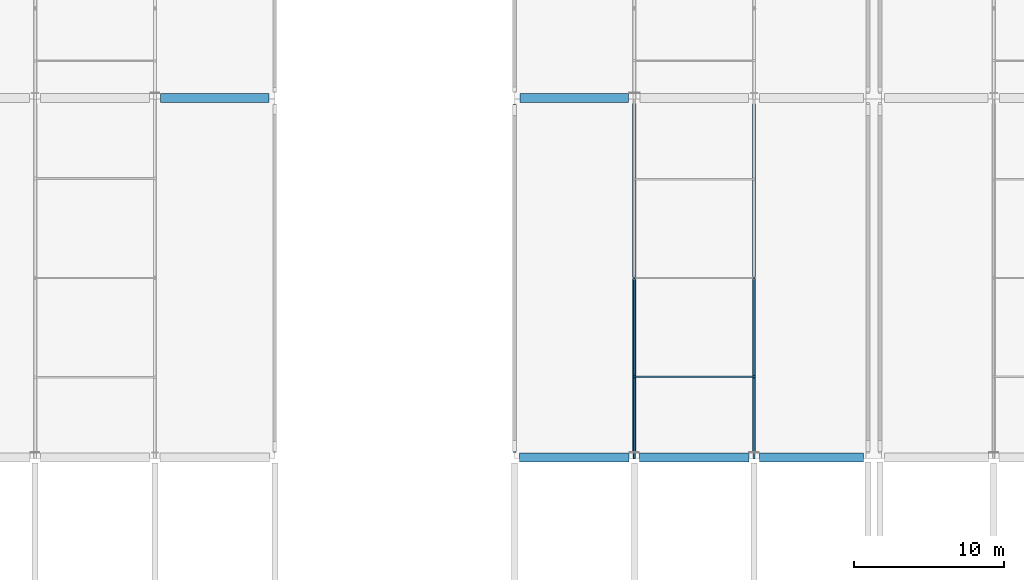
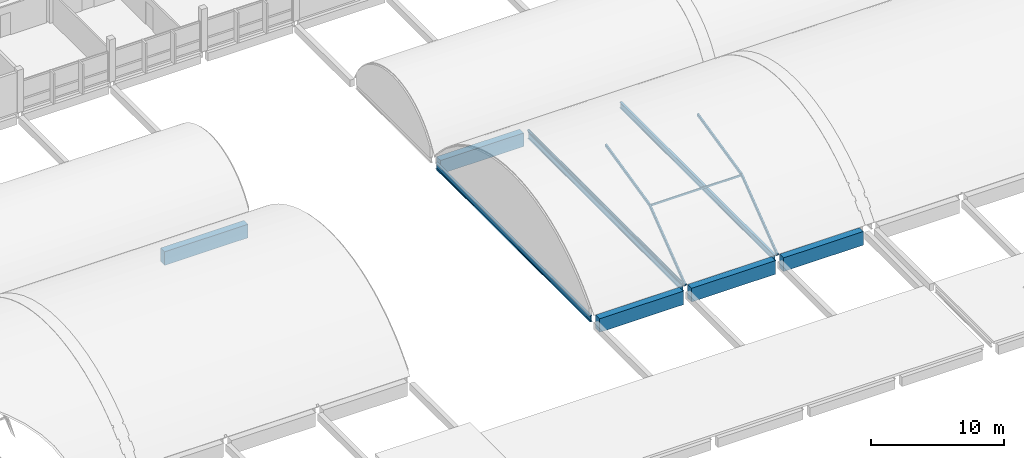
# One storey, part 11 of 57: 8 beams, 6 members.
"""IFC4 building model written with IfcOpenShell, lengths in metres."""

from ifc_helpers import new_model, si_unit, direction, frame, origin, origin_2d, place, context, subcontext, project, spatial, rectangle, hollow_rectangle, hollow_circle, i_section, extrude, material, material_profile, profile_set, type_object, element, save


model = new_model("IFC4")

# Units and contexts
model_context = context("Model", 3, precision=1e-05, world=origin(), true_north=direction((0.0, 1.0)))
body_context = subcontext(model_context, "Body", "Model", "MODEL_VIEW")
ifc_project = project(units=[si_unit("LENGTHUNIT", "METRE"), si_unit("AREAUNIT", "SQUARE_METRE"), si_unit("VOLUMEUNIT", "CUBIC_METRE"), si_unit("PLANEANGLEUNIT", "RADIAN"), si_unit("MASSUNIT", "GRAM", prefix="KILO"), si_unit("THERMODYNAMICTEMPERATUREUNIT", "KELVIN"), si_unit("POWERUNIT", "WATT")], contexts=[model_context])

# Site, building, storey
site_placement = place(None, origin())
site = spatial("IfcSite", under=ifc_project, at=site_placement, CompositionType="ELEMENT")
building_placement = place(site_placement, origin())
building = spatial("IfcBuilding", under=site, at=building_placement, Name="Kronsvod Quay Wholesale Market", CompositionType="ELEMENT")
storey_placement = place(building_placement, frame((0.0, 0.0, 13.199951171875)))
storey = spatial("IfcBuildingStorey", under=building, at=storey_placement, Name="L03", CompositionType="ELEMENT", Elevation=13.199951171875)

# Beams
ifc_material_1 = material(Name="Precast concrete C40/50", Category="concrete")
ifc_material_profile_1 = material_profile(ifc_material_1, rectangle(XDim=0.60009765625, YDim=1.25, at=origin_2d()), Name="PCVG600x1250")
ifc_profile_set_1 = profile_set([ifc_material_profile_1], Name="Precast concrete C40/50")
beam_type_1 = type_object("IfcBeamType", Name="Girder_PCVG600x1250", PredefinedType="T_BEAM", material=ifc_profile_set_1)
for number, where, z_axis, x_axis, name in (
    (1, (104.35009765625, 54.0, -0.844970703125), (1.0, 0.0, 0.0), (0.0, 1.0, 0.0), "BMX-L03-1040-540"),
    (2, (112.35009765625, 54.0, -0.844970703125), (1.0, 0.0, 0.0), (0.0, 1.0, 0.0), "BMX-L03-1120-540"),
):
    element("IfcBeam", number, at=place(storey_placement, frame(where, z_axis=z_axis, x_axis=x_axis)), inside=storey, type_object=beam_type_1, Name=name, PredefinedType="T_BEAM", context=body_context, shape_type="SweptSolid", body=[
        extrude(rectangle(XDim=0.60009765625, YDim=1.25, at=origin_2d()), origin(), (0.0, 0.0, 1.0), 7.2998046875),
    ])
beam_placement = place(storey_placement, frame((120.35009765625, 54.0, -0.844970703125), z_axis=(1.0, 0.0, 0.0), x_axis=(0.0, 1.0, 0.0)))
element("IfcBeam", 3, at=beam_placement, inside=storey, type_object=beam_type_1, Name="BMX-L03-1200-540", PredefinedType="T_BEAM", context=body_context, shape_type="SweptSolid", body=[
    extrude(rectangle(XDim=0.60009765625, YDim=1.25, at=origin_2d()), origin(), (0.0, 0.0, 1.0), 6.949951171875),
])
for number, where, z_axis, x_axis, name in (
    (4, (80.375, 78.0, -0.844970703125), (1.0, 0.0, 0.0), (0.0, 1.0, 0.0), "BMX-L03-800-780"),
    (5, (104.375, 78.0, -0.844970703125), (1.0, 0.0, 0.0), (0.0, 1.0, 0.0), "BMX-L03-1040-780"),
):
    element("IfcBeam", number, at=place(storey_placement, frame(where, z_axis=z_axis, x_axis=x_axis)), inside=storey, type_object=beam_type_1, Name=name, PredefinedType="T_BEAM", context=body_context, shape_type="SweptSolid", body=[
        extrude(rectangle(XDim=0.60009765625, YDim=1.25, at=origin_2d()), origin(), (0.0, 0.0, 1.0), 7.25),
    ])
ifc_material_2 = material(Name="Steel S355", Category="steel")
ifc_material_profile_2 = material_profile(ifc_material_2, i_section(OverallWidth=0.199951171875, OverallDepth=0.5458984375, WebThickness=0.009521484375, FlangeThickness=0.014892578125, FilletRadius=0.02197265625, at=origin_2d()), Name="55B1")
ifc_profile_set_2 = profile_set([ifc_material_profile_2], Name="Steel S355")
beam_type_2 = type_object("IfcBeamType", Name="Girder_Steel55B1", PredefinedType="T_BEAM", material=ifc_profile_set_2)
for number, where, z_axis, x_axis, name in (
    (6, (104.0, 54.35009765625, -0.492919921875), (0.0, 1.0, 0.0), (-1.0, 0.0, 0.0), "BMY-L03-1040-540"),
    (7, (112.0, 54.35009765625, -0.492919921875), (0.0, 1.0, 0.0), (-1.0, 0.0, 0.0), "BMY-L03-1120-540"),
    (8, (120.0, 54.35009765625, -0.492919921875), (0.0, 1.0, 0.0), (-1.0, 0.0, 0.0), "BMY-L03-1200-540"),
):
    element("IfcBeam", number, at=place(storey_placement, frame(where, z_axis=z_axis, x_axis=x_axis)), inside=storey, type_object=beam_type_2, Name=name, PredefinedType="T_BEAM", context=body_context, shape_type="SweptSolid", body=[
        extrude(i_section(OverallWidth=0.199951171875, OverallDepth=0.5458984375, WebThickness=0.009521484375, FlangeThickness=0.014892578125, FilletRadius=0.02197265625, at=origin_2d()), origin(), (0.0, 0.0, 1.0), 23.27490234375),
    ])

# Members
ifc_material_3 = material(Name="Steel S355", Category="steel")
ifc_material_profile_3 = material_profile(ifc_material_3, hollow_rectangle(XDim=0.14990234375, YDim=0.25, WallThickness=0.010009765625, InnerFilletRadius=0.010009765625, OuterFilletRadius=0.02001953125, at=origin_2d()), Name="RHS250x150x10")
ifc_profile_set_3 = profile_set([ifc_material_profile_3], Name="Steel S355")
member_type_1 = type_object("IfcMemberType", Name="Member_Arch250x150", PredefinedType="RAFTER", material=ifc_profile_set_3)
member_1_placement = place(storey_placement, frame((112.0, 54.0, -0.010009765625), z_axis=(0.0, 0.79391386882, 0.608030236827), x_axis=(-1.0, 0.0, 0.0)))
element("IfcMember", 9, at=member_1_placement, inside=storey, type_object=member_type_1, Name="ARCG-SH-V2C-M-1120-0", PredefinedType="RAFTER", context=body_context, shape_type="SweptSolid", body=[
    extrude(hollow_rectangle(XDim=0.14990234375, YDim=0.25, WallThickness=0.010009765625, InnerFilletRadius=0.010009765625, OuterFilletRadius=0.02001953125, at=origin_2d()), origin(), (0.0, 0.0, 1.0), 6.80859375),
])
member_2_placement = place(storey_placement, frame((112.0, 59.405517578125, 4.1298828125), z_axis=(0.0, 0.974763902227, 0.223238291777), x_axis=(-1.0, 0.0, 0.0)))
element("IfcMember", 10, at=member_2_placement, inside=storey, type_object=member_type_1, Name="ARCG-SH-V2C-M-1120-1", PredefinedType="RAFTER", context=body_context, shape_type="SweptSolid", body=[
    extrude(hollow_rectangle(XDim=0.14990234375, YDim=0.25, WallThickness=0.010009765625, InnerFilletRadius=0.010009765625, OuterFilletRadius=0.02001953125, at=origin_2d()), origin(), (0.0, 0.0, 1.0), 6.76513671875),
])
member_3_placement = place(storey_placement, frame((120.0, 54.0, -0.010009765625), z_axis=(0.0, 0.79391386882, 0.608030236827), x_axis=(-1.0, 0.0, 0.0)))
element("IfcMember", 11, at=member_3_placement, inside=storey, type_object=member_type_1, Name="ARCG-SH-V2C-M-1200-0", PredefinedType="RAFTER", context=body_context, shape_type="SweptSolid", body=[
    extrude(hollow_rectangle(XDim=0.14990234375, YDim=0.25, WallThickness=0.010009765625, InnerFilletRadius=0.010009765625, OuterFilletRadius=0.02001953125, at=origin_2d()), origin(), (0.0, 0.0, 1.0), 6.80859375),
])
member_4_placement = place(storey_placement, frame((120.0, 59.405517578125, 4.1298828125), z_axis=(0.0, 0.974763902227, 0.223238291777), x_axis=(-1.0, 0.0, 0.0)))
element("IfcMember", 12, at=member_4_placement, inside=storey, type_object=member_type_1, Name="ARCG-SH-V2C-M-1200-1", PredefinedType="RAFTER", context=body_context, shape_type="SweptSolid", body=[
    extrude(hollow_rectangle(XDim=0.14990234375, YDim=0.25, WallThickness=0.010009765625, InnerFilletRadius=0.010009765625, OuterFilletRadius=0.02001953125, at=origin_2d()), origin(), (0.0, 0.0, 1.0), 6.76513671875),
])
ifc_material_4 = material(Name="Steel S355", Category="steel")
ifc_material_profile_4 = material_profile(ifc_material_4, hollow_circle(Radius=0.109619140625, WallThickness=0.010009765625, at=origin_2d()), Name="CHS219x10")
ifc_profile_set_4 = profile_set([ifc_material_profile_4], Name="Steel S355")
member_type_2 = type_object("IfcMemberType", Name="Member_Chord219x10", PredefinedType="CHORD", material=ifc_profile_set_4)
member_5_placement = place(storey_placement, frame((112.0, 54.340087890625, -0.079833984375), z_axis=(0.0, 1.0, 0.0), x_axis=(-1.0, 0.0, 0.0)))
element("IfcMember", 13, at=member_5_placement, inside=storey, type_object=member_type_2, Name="CHDG-SH-V2C-M-1120", PredefinedType="CHORD", context=body_context, shape_type="SweptSolid", body=[
    extrude(hollow_circle(Radius=0.109619140625, WallThickness=0.010009765625, at=origin_2d()), origin(), (0.0, 0.0, 1.0), 23.31982421875),
])
ifc_material_5 = material(Name="Steel S355", Category="steel")
ifc_material_profile_5 = material_profile(ifc_material_5, hollow_rectangle(XDim=0.10009765625, YDim=0.179931640625, WallThickness=0.008056640625, InnerFilletRadius=0.008056640625, OuterFilletRadius=0.01611328125, at=origin_2d()), Name="RHS180x100x8")
ifc_profile_set_5 = profile_set([ifc_material_profile_5], Name="Steel S355")
member_type_3 = type_object("IfcMemberType", Name="Member_Purlin180x100", PredefinedType="PURLIN", material=ifc_profile_set_5)
member_6_placement = place(storey_placement, frame((112.080078125, 59.405517578125, 4.070068359375), z_axis=(1.0, 0.0, 0.0), x_axis=(0.0, 1.0, 0.0)))
element("IfcMember", 14, at=member_6_placement, inside=storey, type_object=member_type_3, Name="PRLG-SH-V2C-M-0-0", PredefinedType="PURLIN", context=body_context, shape_type="SweptSolid", body=[
    extrude(hollow_rectangle(XDim=0.10009765625, YDim=0.179931640625, WallThickness=0.008056640625, InnerFilletRadius=0.008056640625, OuterFilletRadius=0.01611328125, at=origin_2d()), origin(), (0.0, 0.0, 1.0), 7.83984375),
])

save(model, "model.ifc")
